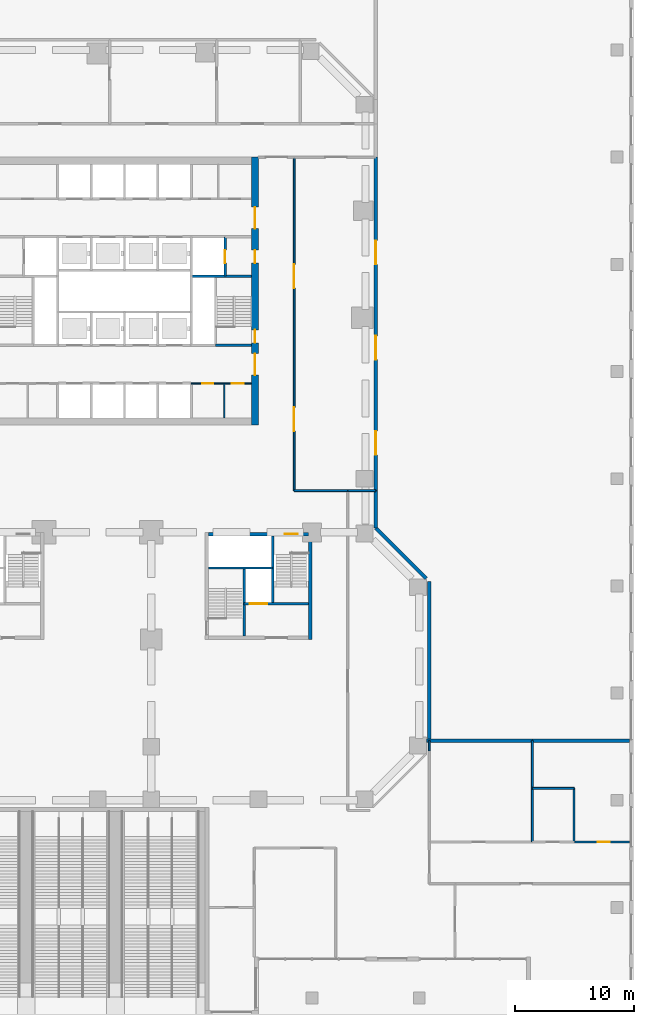
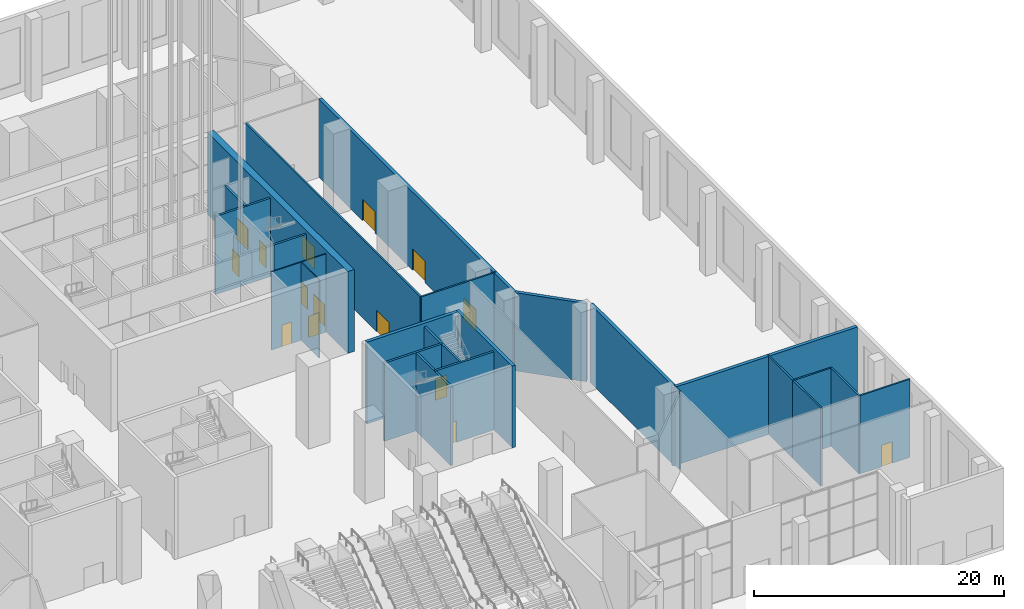
# One storey, part 13 of 32: 27 walls, 15 doors, 15 openings.
"""IFC4 building model written with IfcOpenShell, lengths in metres."""

from ifc_helpers import new_model, si_unit, direction, frame, frame_2d, origin, place, context, subcontext, project, spatial, rectangle, extrude, material, layer, layer_set, type_object, element, fill, save


model = new_model("IFC4")

# Units and contexts
model_context = context("Model", 3, precision=1e-05, world=origin(), true_north=direction((0.0, 1.0)))
body_context = subcontext(model_context, "Body", "Model", "MODEL_VIEW")
ifc_project = project(units=[si_unit("LENGTHUNIT", "METRE"), si_unit("AREAUNIT", "SQUARE_METRE"), si_unit("VOLUMEUNIT", "CUBIC_METRE"), si_unit("PLANEANGLEUNIT", "RADIAN"), si_unit("MASSUNIT", "GRAM", prefix="KILO")], contexts=[model_context])

# Site, building, storey
site_placement = place(None, origin())
site = spatial("IfcSite", under=ifc_project, at=site_placement, CompositionType="ELEMENT")
building_placement = place(site_placement, origin())
building = spatial("IfcBuilding", under=site, at=building_placement, Name="Quoin Convention Tower", CompositionType="ELEMENT")
storey_placement = place(building_placement, origin())
storey = spatial("IfcBuildingStorey", under=building, at=storey_placement, Name="L00", CompositionType="ELEMENT", Elevation=0.0)

# Walls
ifc_material_1 = material(Name="Plasterboard")
ifc_layer_1 = layer(ifc_material_1, 0.012451171875, Name="Finish")
ifc_material_2 = material(Name="Steel stud framing", Category="steel")
ifc_layer_2 = layer(ifc_material_2, 0.27490234375, Name="Structure")
ifc_layer_3 = layer(ifc_material_1, 0.012451171875, Name="Finish")
ifc_layer_set_1 = layer_set([ifc_layer_1, ifc_layer_2, ifc_layer_3], Name="Steel stud framing")
wall_type_1 = type_object("IfcWallType", Name="Acoustic wall 300", PredefinedType="PARTITIONING", material=ifc_layer_set_1)
wall_1_placement = place(storey_placement, frame((81.60009765625, 23.0, 0.0), z_axis=(0.0, 0.0, 1.0), x_axis=(1.0, 0.0, 0.0)))
element("IfcWall", 1, at=wall_1_placement, inside=storey, type_object=wall_type_1, Name="pw-L00-042", PredefinedType="PARTITIONING", context=body_context, shape_type="SweptSolid", body=[
    extrude(rectangle(XDim=8.89990234375, YDim=0.300048828125, at=frame_2d((4.449951171875, 0.0))), origin(), (0.0, 0.0, 1.0), 7.64990234375),
])
wall_2_placement = place(storey_placement, frame((81.85009765625, 23.0, 0.0), z_axis=(0.0, 0.0, 1.0), x_axis=(0.0, 1.0, 0.0)))
element("IfcWall", 2, at=wall_2_placement, inside=storey, type_object=wall_type_1, Name="pw-L00-043", PredefinedType="PARTITIONING", context=body_context, shape_type="SweptSolid", body=[
    extrude(rectangle(XDim=13.35205078125, YDim=0.300048828125, at=frame_2d((6.676025390625, 0.0))), origin(), (0.0, 0.0, 1.0), 7.64990234375),
])
wall_3_placement = place(storey_placement, frame((90.5, 23.0, 0.0), z_axis=(0.0, 0.0, 1.0), x_axis=(1.0, 0.0, 0.0)))
element("IfcWall", 3, at=wall_3_placement, inside=storey, type_object=wall_type_1, Name="pw-L00-044", PredefinedType="PARTITIONING", context=body_context, shape_type="SweptSolid", body=[
    extrude(rectangle(XDim=8.14990234375, YDim=0.300048828125, at=frame_2d((4.074951171875, 0.0))), origin(), (0.0, 0.0, 1.0), 7.64990234375),
])
wall_4_placement = place(storey_placement, frame((77.35009765625, 40.85205078125, 0.0), z_axis=(0.0, 0.0, 1.0), x_axis=(0.707106781187, -0.707106781187, 0.0)))
element("IfcWall", 4, at=wall_4_placement, inside=storey, type_object=wall_type_1, Name="pw-L00-054", PredefinedType="PARTITIONING", context=body_context, shape_type="SweptSolid", body=[
    extrude(rectangle(XDim=5.98486328125, YDim=0.300048828125, at=frame_2d((2.992431640625, 0.0))), origin(), (0.0, 0.0, 1.0), 7.64990234375),
])
wall_5_placement = place(storey_placement, frame((77.35009765625, 40.85205078125, 0.0), z_axis=(0.0, 0.0, 1.0), x_axis=(0.0, 1.0, 0.0)))
element("IfcWall", 5, at=wall_5_placement, inside=storey, type_object=wall_type_1, Name="pw-L00-055", PredefinedType="PARTITIONING", context=body_context, shape_type="SweptSolid", body=[
    extrude(rectangle(XDim=3.14794921875, YDim=0.300048828125, at=frame_2d((1.573974609375, 0.0))), origin(), (0.0, 0.0, 1.0), 7.64990234375),
])

# Wall, openings, doors
wall_6_placement = place(storey_placement, frame((77.35009765625, 44.0, 0.0), z_axis=(0.0, 0.0, 1.0), x_axis=(0.0, 1.0, 0.0)))
wall_6 = element("IfcWall", 6, at=wall_6_placement, inside=storey, type_object=wall_type_1, Name="pw-L00-059", PredefinedType="PARTITIONING", context=body_context, shape_type="SweptSolid", body=[
    extrude(rectangle(XDim=28.0, YDim=0.300048828125, at=frame_2d((14.0, 0.0))), origin(), (0.0, 0.0, 1.0), 7.64990234375),
])
opening_1_placement = place(wall_6_placement, frame((3.0, 0.0, 0.0)))
opening_1 = element("IfcOpeningElement", 7, at=opening_1_placement, cuts=wall_6, Name="Opening DPD0-24", PredefinedType="OPENING", context=body_context, shape_type="SweptSolid", body=[
    extrude(rectangle(XDim=2.0, YDim=2.10009765625, at=frame_2d((1.0, 1.050048828125))), frame((0.0, 0.159912109375, 0.0), z_axis=(0.0, -1.0, 0.0), x_axis=(1.0, 0.0, 0.0)), (0.0, 0.0, 1.0), 0.320068359375),
])
opening_2_placement = place(wall_6_placement, frame((11.0, 0.0, 0.0)))
opening_2 = element("IfcOpeningElement", 8, at=opening_2_placement, cuts=wall_6, Name="Opening DPD0-25", PredefinedType="OPENING", context=body_context, shape_type="SweptSolid", body=[
    extrude(rectangle(XDim=2.0, YDim=2.10009765625, at=frame_2d((1.0, 1.050048828125))), frame((0.0, 0.159912109375, 0.0), z_axis=(0.0, -1.0, 0.0), x_axis=(1.0, 0.0, 0.0)), (0.0, 0.0, 1.0), 0.320068359375),
])
opening_3_placement = place(wall_6_placement, frame((19.0, 0.0, 0.0)))
opening_3 = element("IfcOpeningElement", 9, at=opening_3_placement, cuts=wall_6, Name="Opening DPD0-26", PredefinedType="OPENING", context=body_context, shape_type="SweptSolid", body=[
    extrude(rectangle(XDim=2.0, YDim=2.10009765625, at=frame_2d((1.0, 1.050048828125))), frame((0.0, 0.159912109375, 0.0), z_axis=(0.0, -1.0, 0.0), x_axis=(1.0, 0.0, 0.0)), (0.0, 0.0, 1.0), 0.320068359375),
])
ifc_material_3 = material(Name="Steel door leaf", Category="steel")
door_type_1 = type_object("IfcDoorType", Name="Double leaf door 2000", OperationType="DOUBLE_DOOR_SINGLE_SWING", PredefinedType="DOOR", material=ifc_material_3)
door_1_placement = place(opening_1_placement, origin())
door_1 = element("IfcDoor", 10, at=door_1_placement, inside=storey, type_object=door_type_1, Name="dr-L00-006", OperationType="DOUBLE_DOOR_SINGLE_SWING", OverallHeight=2.10009765625, OverallWidth=2.0, PredefinedType="DOOR", context=body_context, shape_type="SweptSolid", body=[
    extrude(rectangle(XDim=2.0, YDim=2.10009765625, at=frame_2d((1.0, 1.050048828125))), frame((0.0, 0.02490234375, 0.0), z_axis=(0.0, -1.0, 0.0), x_axis=(1.0, 0.0, 0.0)), (0.0, 0.0, 1.0), 0.050048828125),
])
fill(opening_1, door_1)
door_2_placement = place(opening_2_placement, origin())
door_2 = element("IfcDoor", 11, at=door_2_placement, inside=storey, type_object=door_type_1, Name="dr-L00-007", OperationType="DOUBLE_DOOR_SINGLE_SWING", OverallHeight=2.10009765625, OverallWidth=2.0, PredefinedType="DOOR", context=body_context, shape_type="SweptSolid", body=[
    extrude(rectangle(XDim=2.0, YDim=2.10009765625, at=frame_2d((1.0, 1.050048828125))), frame((0.0, 0.02490234375, 0.0), z_axis=(0.0, -1.0, 0.0), x_axis=(1.0, 0.0, 0.0)), (0.0, 0.0, 1.0), 0.050048828125),
])
fill(opening_2, door_2)
door_3_placement = place(opening_3_placement, origin())
door_3 = element("IfcDoor", 12, at=door_3_placement, inside=storey, type_object=door_type_1, Name="dr-L00-008", OperationType="DOUBLE_DOOR_SINGLE_SWING", OverallHeight=2.10009765625, OverallWidth=2.0, PredefinedType="DOOR", context=body_context, shape_type="SweptSolid", body=[
    extrude(rectangle(XDim=2.0, YDim=2.10009765625, at=frame_2d((1.0, 1.050048828125))), frame((0.0, 0.02490234375, 0.0), z_axis=(0.0, -1.0, 0.0), x_axis=(1.0, 0.0, 0.0)), (0.0, 0.0, 1.0), 0.050048828125),
])
fill(opening_3, door_3)

ifc_layer_4 = layer(ifc_material_1, 0.012451171875, Name="Finish")
ifc_layer_5 = layer(ifc_material_2, 0.074951171875, Name="Structure")
ifc_layer_6 = layer(ifc_material_1, 0.012451171875, Name="Finish")
ifc_layer_set_2 = layer_set([ifc_layer_4, ifc_layer_5, ifc_layer_6], Name="Steel stud framing")
wall_type_2 = type_object("IfcWallType", Name="Core partition wall", PredefinedType="PARTITIONING", material=ifc_layer_set_2)
wall_7_placement = place(storey_placement, frame((61.85009765625, 53.0, 0.0), z_axis=(0.0, 0.0, 1.0), x_axis=(1.0, 0.0, 0.0)))
wall_7 = element("IfcWall", 13, at=wall_7_placement, inside=storey, type_object=wall_type_2, Name="cr-C1-L00-h3500_16850", PredefinedType="PARTITIONING", context=body_context, shape_type="SweptSolid", body=[
    extrude(rectangle(XDim=5.0498046875, YDim=0.10009765625, at=frame_2d((2.52490234375, 0.0))), origin(), (0.0, 0.0, 1.0), 7.64990234375),
])
opening_4_placement = place(wall_7_placement, frame((3.413818359375, 0.0, 0.0)))
opening_4 = element("IfcOpeningElement", 14, at=opening_4_placement, cuts=wall_7, Name="Opening DCV0-29", PredefinedType="OPENING", context=body_context, shape_type="SweptSolid", body=[
    extrude(rectangle(XDim=1.0, YDim=2.10009765625, at=frame_2d((0.5, 1.050048828125))), frame((0.0, 0.06005859375, 0.0), z_axis=(0.0, -1.0, 0.0), x_axis=(1.0, 0.0, 0.0)), (0.0, 0.0, 1.0), 0.1201171875),
])
opening_5_placement = place(wall_7_placement, frame((0.938720703125, 0.0, 0.0)))
opening_5 = element("IfcOpeningElement", 15, at=opening_5_placement, cuts=wall_7, Name="Opening DCV0-26", PredefinedType="OPENING", context=body_context, shape_type="SweptSolid", body=[
    extrude(rectangle(XDim=0.89990234375, YDim=2.10009765625, at=frame_2d((0.449951171875, 1.050048828125))), frame((0.0, 0.06005859375, 0.0), z_axis=(0.0, -1.0, 0.0), x_axis=(1.0, 0.0, 0.0)), (0.0, 0.0, 1.0), 0.1201171875),
])
door_type_2 = type_object("IfcDoorType", Name="Core room door 1000 x 2100", OperationType="SINGLE_SWING_LEFT", PredefinedType="DOOR", material=ifc_material_3)
door_4_placement = place(opening_4_placement, frame((1.0, 0.0, 0.0), z_axis=(0.0, 0.0, 1.0), x_axis=(-1.0, 0.0, 0.0)))
door_4 = element("IfcDoor", 16, at=door_4_placement, inside=storey, type_object=door_type_2, Name="cd-C1-L00-CSE0-lobA-CD0010", OperationType="SINGLE_SWING_LEFT", OverallHeight=2.10009765625, OverallWidth=1.0, PredefinedType="DOOR", context=body_context, shape_type="SweptSolid", body=[
    extrude(rectangle(XDim=1.0, YDim=2.10009765625, at=frame_2d((0.5, 1.050048828125))), frame((0.0, 0.02490234375, 0.0), z_axis=(0.0, -1.0, 0.0), x_axis=(1.0, 0.0, 0.0)), (0.0, 0.0, 1.0), 0.050048828125),
])
fill(opening_4, door_4)
door_type_3 = type_object("IfcDoorType", Name="Core room door 900 x 2100", OperationType="SINGLE_SWING_LEFT", PredefinedType="DOOR", material=ifc_material_3)
door_5_placement = place(opening_5_placement, frame((0.89990234375, 0.0, 0.0), z_axis=(0.0, 0.0, 1.0), x_axis=(-1.0, 0.0, 0.0)))
door_5 = element("IfcDoor", 17, at=door_5_placement, inside=storey, type_object=door_type_3, Name="cd-C1-L00-CSE1-lobA-CD0011", OperationType="SINGLE_SWING_LEFT", OverallHeight=2.10009765625, OverallWidth=0.89990234375, PredefinedType="DOOR", context=body_context, shape_type="SweptSolid", body=[
    extrude(rectangle(XDim=0.89990234375, YDim=2.10009765625, at=frame_2d((0.449951171875, 1.050048828125))), frame((0.0, 0.02490234375, 0.0), z_axis=(0.0, -1.0, 0.0), x_axis=(1.0, 0.0, 0.0)), (0.0, 0.0, 1.0), 0.050048828125),
])
fill(opening_5, door_5)

# Walls
wall_8_placement = place(storey_placement, frame((64.62744140625, 50.10009765625, 0.0), z_axis=(0.0, 0.0, 1.0), x_axis=(0.0, 1.0, 0.0)))
element("IfcWall", 18, at=wall_8_placement, inside=storey, type_object=wall_type_2, Name="cr-C1-L00-v19628_600", PredefinedType="PARTITIONING", context=body_context, shape_type="SweptSolid", body=[
    extrude(rectangle(XDim=2.89990234375, YDim=0.10009765625, at=frame_2d((1.449951171875, 0.0))), origin(), (0.0, 0.0, 1.0), 7.64990234375),
])
ifc_material_4 = material(Name="Concrete C50", Category="concrete")
ifc_layer_7 = layer(ifc_material_4, 0.199951171875)
ifc_layer_set_3 = layer_set([ifc_layer_7], Name="Concrete C50")
wall_type_3 = type_object("IfcWallType", Name="Core shaft wall", PredefinedType="SOLIDWALL", material=ifc_layer_set_3)
wall_9_placement = place(storey_placement, frame((63.89990234375, 56.199951171875, 0.0), z_axis=(0.0, 0.0, 1.0), x_axis=(1.0, 0.0, 0.0)))
element("IfcWall", 19, at=wall_9_placement, inside=storey, type_object=wall_type_3, Name="cr-C1-L00-h6700_18900", PredefinedType="SOLIDWALL", context=body_context, shape_type="SweptSolid", body=[
    extrude(rectangle(XDim=3.0, YDim=0.199951171875, at=frame_2d((1.5, 0.0))), origin(), (0.0, 0.0, 1.0), 7.64990234375),
])
wall_10_placement = place(storey_placement, frame((61.85009765625, 62.0, 0.0), z_axis=(0.0, 0.0, 1.0), x_axis=(1.0, 0.0, 0.0)))
element("IfcWall", 20, at=wall_10_placement, inside=storey, type_object=wall_type_3, Name="cr-C1-L00-h12500_16850", PredefinedType="SOLIDWALL", context=body_context, shape_type="SweptSolid", body=[
    extrude(rectangle(XDim=5.0498046875, YDim=0.199951171875, at=frame_2d((2.52490234375, 0.0))), origin(), (0.0, 0.0, 1.0), 7.64990234375),
])

# Wall, opening, door
wall_11_placement = place(storey_placement, frame((64.699951171875, 62.0, 0.0), z_axis=(0.0, 0.0, 1.0), x_axis=(0.0, 1.0, 0.0)))
wall_11 = element("IfcWall", 21, at=wall_11_placement, inside=storey, type_object=wall_type_3, Name="cr-C1-L00-v19700_12500", PredefinedType="SOLIDWALL", context=body_context, shape_type="SweptSolid", body=[
    extrude(rectangle(XDim=3.300048828125, YDim=0.199951171875, at=frame_2d((1.64990234375, 0.0))), origin(), (0.0, 0.0, 1.0), 7.64990234375),
])
opening_6_placement = place(wall_11_placement, frame((1.10009765625, 0.0, 0.0)))
opening_6 = element("IfcOpeningElement", 22, at=opening_6_placement, cuts=wall_11, Name="Opening LDFL2", PredefinedType="OPENING", context=body_context, shape_type="SweptSolid", body=[
    extrude(rectangle(XDim=1.10009765625, YDim=2.10009765625, at=frame_2d((0.550048828125, 1.050048828125))), frame((0.0, 0.10986328125, 0.0), z_axis=(0.0, -1.0, 0.0), x_axis=(1.0, 0.0, 0.0)), (0.0, 0.0, 1.0), 0.219970703125),
])
door_type_4 = type_object("IfcDoorType", Name="Lift landing door 1100 x 2100", OperationType="DOUBLE_DOOR_SLIDING", PredefinedType="DOOR", material=ifc_material_3)
door_6_placement = place(opening_6_placement, origin())
door_6 = element("IfcDoor", 23, at=door_6_placement, inside=storey, type_object=door_type_4, Name="cd-C1-L00-FLE-FFE-LDFL2", OperationType="DOUBLE_DOOR_SLIDING", OverallHeight=2.10009765625, OverallWidth=1.10009765625, PredefinedType="DOOR", context=body_context, shape_type="SweptSolid", body=[
    extrude(rectangle(XDim=1.10009765625, YDim=2.10009765625, at=frame_2d((0.550048828125, 1.050048828125))), frame((0.0, 0.02490234375, 0.0), z_axis=(0.0, -1.0, 0.0), x_axis=(1.0, 0.0, 0.0)), (0.0, 0.0, 1.0), 0.050048828125),
])
fill(opening_6, door_6)

wall_12_placement = place(storey_placement, frame((66.300048828125, 34.5, 0.0), z_axis=(0.0, 0.0, 1.0), x_axis=(1.0, 0.0, 0.0)))
wall_12 = element("IfcWall", 24, at=wall_12_placement, inside=storey, type_object=wall_type_3, Name="cr-P5-L00-h3000_3300", PredefinedType="SOLIDWALL", context=body_context, shape_type="SweptSolid", body=[
    extrude(rectangle(XDim=5.39990234375, YDim=0.199951171875, at=frame_2d((2.699951171875, 0.0))), origin(), (0.0, 0.0, 1.0), 7.64990234375),
])
opening_7_placement = place(wall_12_placement, frame((0.449951171875, 0.0, 0.0)))
opening_7 = element("IfcOpeningElement", 25, at=opening_7_placement, cuts=wall_12, Name="Opening LDGL2", PredefinedType="OPENING", context=body_context, shape_type="SweptSolid", body=[
    extrude(rectangle(XDim=1.5, YDim=2.10009765625, at=frame_2d((0.75, 1.050048828125))), frame((0.0, 0.10986328125, 0.0), z_axis=(0.0, -1.0, 0.0), x_axis=(1.0, 0.0, 0.0)), (0.0, 0.0, 1.0), 0.219970703125),
])
door_type_5 = type_object("IfcDoorType", Name="Lift landing door 1500 x 2100", OperationType="DOUBLE_DOOR_SLIDING", PredefinedType="DOOR", material=ifc_material_3)
door_7_placement = place(opening_7_placement, origin())
door_7 = element("IfcDoor", 26, at=door_7_placement, inside=storey, type_object=door_type_5, Name="cd-P5-L00-CEN-R2-LDGL2", OperationType="DOUBLE_DOOR_SLIDING", OverallHeight=2.10009765625, OverallWidth=1.5, PredefinedType="DOOR", context=body_context, shape_type="SweptSolid", body=[
    extrude(rectangle(XDim=1.5, YDim=2.10009765625, at=frame_2d((0.75, 1.050048828125))), frame((0.0, 0.02490234375, 0.0), z_axis=(0.0, -1.0, 0.0), x_axis=(1.0, 0.0, 0.0)), (0.0, 0.0, 1.0), 0.050048828125),
])
fill(opening_7, door_7)

# Walls
wall_13_placement = place(storey_placement, frame((63.300048828125, 37.5, 0.0), z_axis=(0.0, 0.0, 1.0), x_axis=(1.0, 0.0, 0.0)))
element("IfcWall", 27, at=wall_13_placement, inside=storey, type_object=wall_type_3, Name="cr-P5-L00-h6000_300", PredefinedType="SOLIDWALL", context=body_context, shape_type="SweptSolid", body=[
    extrude(rectangle(XDim=5.39990234375, YDim=0.199951171875, at=frame_2d((2.699951171875, 0.0))), origin(), (0.0, 0.0, 1.0), 7.64990234375),
])
for number, where, z_axis, x_axis, name in (
    (28, (66.300048828125, 31.800048828125, 0.0), (0.0, 0.0, 1.0), (0.0, 1.0, 0.0), "cr-P5-L00-v3300_300"),
    (29, (68.699951171875, 34.5, 0.0), (0.0, 0.0, 1.0), (0.0, 1.0, 0.0), "cr-P5-L00-v5700_3000"),
):
    element("IfcWall", number, at=place(storey_placement, frame(where, z_axis=z_axis, x_axis=x_axis)), inside=storey, type_object=wall_type_3, Name=name, PredefinedType="SOLIDWALL", context=body_context, shape_type="SweptSolid", body=[
        extrude(rectangle(XDim=5.699951171875, YDim=0.199951171875, at=frame_2d((2.85009765625, 0.0))), origin(), (0.0, 0.0, 1.0), 7.64990234375),
    ])

# Wall, opening, door
ifc_layer_8 = layer(ifc_material_1, 0.012451171875, Name="Finish")
ifc_layer_9 = layer(ifc_material_2, 0.125, Name="Structure")
ifc_layer_10 = layer(ifc_material_1, 0.012451171875, Name="Finish")
ifc_layer_set_4 = layer_set([ifc_layer_8, ifc_layer_9, ifc_layer_10], Name="Steel stud framing")
wall_type_4 = type_object("IfcWallType", Name="Partition wall 150", PredefinedType="PARTITIONING", material=ifc_layer_set_4)
wall_14_placement = place(storey_placement, frame((94.0, 14.5, 0.0), z_axis=(0.0, 0.0, 1.0), x_axis=(1.0, 0.0, 0.0)))
wall_14 = element("IfcWall", 30, at=wall_14_placement, inside=storey, type_object=wall_type_4, Name="pw-L00-030", PredefinedType="PARTITIONING", context=body_context, shape_type="SweptSolid", body=[
    extrude(rectangle(XDim=4.64990234375, YDim=0.14990234375, at=frame_2d((2.324951171875, 0.0))), origin(), (0.0, 0.0, 1.0), 7.64990234375),
])
opening_8_placement = place(wall_14_placement, frame((2.0, 0.0, 0.0)))
opening_8 = element("IfcOpeningElement", 31, at=opening_8_placement, cuts=wall_14, Name="Opening DPD0-17", PredefinedType="OPENING", context=body_context, shape_type="SweptSolid", body=[
    extrude(rectangle(XDim=1.0, YDim=2.10009765625, at=frame_2d((0.5, 1.050048828125))), frame((0.0, 0.0849609375, 0.0), z_axis=(0.0, -1.0, 0.0), x_axis=(1.0, 0.0, 0.0)), (0.0, 0.0, 1.0), 0.169921875),
])
door_type_6 = type_object("IfcDoorType", Name="Washroom door 1000", OperationType="SINGLE_SWING_RIGHT", PredefinedType="DOOR", material=ifc_material_3)
door_8_placement = place(opening_8_placement, origin())
door_8 = element("IfcDoor", 32, at=door_8_placement, inside=storey, type_object=door_type_6, Name="dr-L00-034", OperationType="SINGLE_SWING_RIGHT", OverallHeight=2.10009765625, OverallWidth=1.0, PredefinedType="DOOR", context=body_context, shape_type="SweptSolid", body=[
    extrude(rectangle(XDim=1.0, YDim=2.10009765625, at=frame_2d((0.5, 1.050048828125))), frame((0.0, 0.02490234375, 0.0), z_axis=(0.0, -1.0, 0.0), x_axis=(1.0, 0.0, 0.0)), (0.0, 0.0, 1.0), 0.050048828125),
])
fill(opening_8, door_8)

# Walls
wall_15_placement = place(storey_placement, frame((81.85009765625, 22.14794921875, 0.0), z_axis=(0.0, 0.0, 1.0), x_axis=(0.0, 1.0, 0.0)))
element("IfcWall", 33, at=wall_15_placement, inside=storey, type_object=wall_type_4, Name="pw-L00-041", PredefinedType="PARTITIONING", context=body_context, shape_type="SweptSolid", body=[
    extrude(rectangle(XDim=0.85205078125, YDim=0.14990234375, at=frame_2d((0.426025390625, 0.0))), origin(), (0.0, 0.0, 1.0), 7.64990234375),
])
wall_16_placement = place(storey_placement, frame((70.5, 44.0, 0.0), z_axis=(0.0, 0.0, 1.0), x_axis=(1.0, 0.0, 0.0)))
element("IfcWall", 34, at=wall_16_placement, inside=storey, type_object=wall_type_4, Name="pw-L00-056", PredefinedType="PARTITIONING", context=body_context, shape_type="SweptSolid", body=[
    extrude(rectangle(XDim=4.5, YDim=0.14990234375, at=frame_2d((2.25, 0.0))), origin(), (0.0, 0.0, 1.0), 7.64990234375),
])

# Wall, openings, doors
wall_17_placement = place(storey_placement, frame((70.5, 44.0, 0.0), z_axis=(0.0, 0.0, 1.0), x_axis=(0.0, 1.0, 0.0)))
wall_17 = element("IfcWall", 35, at=wall_17_placement, inside=storey, type_object=wall_type_4, Name="pw-L00-057", PredefinedType="PARTITIONING", context=body_context, shape_type="SweptSolid", body=[
    extrude(rectangle(XDim=28.0, YDim=0.14990234375, at=frame_2d((14.0, 0.0))), origin(), (0.0, 0.0, 1.0), 7.64990234375),
])
opening_9_placement = place(wall_17_placement, frame((5.0, 0.0, 0.0)))
opening_9 = element("IfcOpeningElement", 36, at=opening_9_placement, cuts=wall_17, Name="Opening DPD0-22", PredefinedType="OPENING", context=body_context, shape_type="SweptSolid", body=[
    extrude(rectangle(XDim=2.0, YDim=2.10009765625, at=frame_2d((1.0, 1.050048828125))), frame((0.0, 0.0849609375, 0.0), z_axis=(0.0, -1.0, 0.0), x_axis=(1.0, 0.0, 0.0)), (0.0, 0.0, 1.0), 0.169921875),
])
opening_10_placement = place(wall_17_placement, frame((17.0, 0.0, 0.0)))
opening_10 = element("IfcOpeningElement", 37, at=opening_10_placement, cuts=wall_17, Name="Opening DPD0-23", PredefinedType="OPENING", context=body_context, shape_type="SweptSolid", body=[
    extrude(rectangle(XDim=2.0, YDim=2.10009765625, at=frame_2d((1.0, 1.050048828125))), frame((0.0, 0.0849609375, 0.0), z_axis=(0.0, -1.0, 0.0), x_axis=(1.0, 0.0, 0.0)), (0.0, 0.0, 1.0), 0.169921875),
])
door_9_placement = place(opening_9_placement, frame((2.0, 0.0, 0.0), z_axis=(0.0, 0.0, 1.0), x_axis=(-1.0, 0.0, 0.0)))
door_9 = element("IfcDoor", 38, at=door_9_placement, inside=storey, type_object=door_type_1, Name="dr-L00-009", OperationType="DOUBLE_DOOR_SINGLE_SWING", OverallHeight=2.10009765625, OverallWidth=2.0, PredefinedType="DOOR", context=body_context, shape_type="SweptSolid", body=[
    extrude(rectangle(XDim=2.0, YDim=2.10009765625, at=frame_2d((1.0, 1.050048828125))), frame((0.0, 0.02490234375, 0.0), z_axis=(0.0, -1.0, 0.0), x_axis=(1.0, 0.0, 0.0)), (0.0, 0.0, 1.0), 0.050048828125),
])
fill(opening_9, door_9)
door_10_placement = place(opening_10_placement, frame((2.0, 0.0, 0.0), z_axis=(0.0, 0.0, 1.0), x_axis=(-1.0, 0.0, 0.0)))
door_10 = element("IfcDoor", 39, at=door_10_placement, inside=storey, type_object=door_type_1, Name="dr-L00-010", OperationType="DOUBLE_DOOR_SINGLE_SWING", OverallHeight=2.10009765625, OverallWidth=2.0, PredefinedType="DOOR", context=body_context, shape_type="SweptSolid", body=[
    extrude(rectangle(XDim=2.0, YDim=2.10009765625, at=frame_2d((1.0, 1.050048828125))), frame((0.0, 0.02490234375, 0.0), z_axis=(0.0, -1.0, 0.0), x_axis=(1.0, 0.0, 0.0)), (0.0, 0.0, 1.0), 0.050048828125),
])
fill(opening_10, door_10)

# Wall
wall_18_placement = place(storey_placement, frame((75.0, 44.0, 0.0), z_axis=(0.0, 0.0, 1.0), x_axis=(1.0, 0.0, 0.0)))
element("IfcWall", 40, at=wall_18_placement, inside=storey, type_object=wall_type_4, Name="pw-L00-058", PredefinedType="PARTITIONING", context=body_context, shape_type="SweptSolid", body=[
    extrude(rectangle(XDim=2.35009765625, YDim=0.14990234375, at=frame_2d((1.175048828125, 0.0))), origin(), (0.0, 0.0, 1.0), 7.64990234375),
])

# Wall, opening, door
ifc_material_5 = material(Name="Concrete C100 (100 MPa)", Category="concrete")
ifc_layer_11 = layer(ifc_material_5, 0.300048828125)
ifc_layer_set_5 = layer_set([ifc_layer_11], Name="Concrete C100 (100 MPa)")
wall_type_5 = type_object("IfcWallType", Name="RC CORE WALL 300 C100", PredefinedType="SHEAR", material=ifc_layer_set_5)
wall_19_placement = place(storey_placement, frame((63.300048828125, 40.35009765625, 0.0), z_axis=(0.0, 0.0, 1.0), x_axis=(1.0, 0.0, 0.0)))
wall_19 = element("IfcWall", 41, at=wall_19_placement, inside=storey, type_object=wall_type_5, Name="cwl-P5-L00-N", PredefinedType="SHEAR", context=body_context, shape_type="SweptSolid", body=[
    extrude(rectangle(XDim=8.39990234375, YDim=0.300048828125, at=frame_2d((4.199951171875, 0.0))), origin(), (0.0, 0.0, 1.0), 8.0),
])
opening_11_placement = place(wall_19_placement, frame((6.39990234375, 0.0, 0.0)))
opening_11 = element("IfcOpeningElement", 42, at=opening_11_placement, cuts=wall_19, Name="Opening SD10", PredefinedType="OPENING", context=body_context, shape_type="SweptSolid", body=[
    extrude(rectangle(XDim=1.10009765625, YDim=2.10009765625, at=frame_2d((0.550048828125, 1.050048828125))), frame((0.0, 0.159912109375, 0.0), z_axis=(0.0, -1.0, 0.0), x_axis=(1.0, 0.0, 0.0)), (0.0, 0.0, 1.0), 0.320068359375),
])
door_type_7 = type_object("IfcDoorType", Name="Stair door 1100 x 2100", OperationType="SINGLE_SWING_RIGHT", PredefinedType="DOOR", material=ifc_material_3)
door_11_placement = place(opening_11_placement, frame((1.10009765625, 0.0, 0.0), z_axis=(0.0, 0.0, 1.0), x_axis=(-1.0, 0.0, 0.0)))
door_11 = element("IfcDoor", 43, at=door_11_placement, inside=storey, type_object=door_type_7, Name="cd-P5-L00-SB-N", OperationType="SINGLE_SWING_LEFT", OverallHeight=2.10009765625, OverallWidth=1.10009765625, PredefinedType="DOOR", context=body_context, shape_type="SweptSolid", body=[
    extrude(rectangle(XDim=1.10009765625, YDim=2.10009765625, at=frame_2d((0.550048828125, 1.050048828125))), frame((0.0, 0.02490234375, 0.0), z_axis=(0.0, -1.0, 0.0), x_axis=(1.0, 0.0, 0.0)), (0.0, 0.0, 1.0), 0.050048828125),
])
fill(opening_11, door_11)

# Wall
wall_20_placement = place(storey_placement, frame((71.85009765625, 31.5, 0.0), z_axis=(0.0, 0.0, 1.0), x_axis=(0.0, 1.0, 0.0)))
element("IfcWall", 44, at=wall_20_placement, inside=storey, type_object=wall_type_5, Name="cwl-P5-L00-E", PredefinedType="SHEAR", context=body_context, shape_type="SweptSolid", body=[
    extrude(rectangle(XDim=9.0, YDim=0.300048828125, at=frame_2d((4.5, 0.0))), origin(), (0.0, 0.0, 1.0), 8.0),
])

# Wall, openings, doors
ifc_layer_12 = layer(ifc_material_5, 0.60009765625)
ifc_layer_set_6 = layer_set([ifc_layer_12], Name="Concrete C100 (100 MPa)")
wall_type_6 = type_object("IfcWallType", Name="RC CORE WALL 600 C100", PredefinedType="SHEAR", material=ifc_layer_set_6)
wall_21_placement = place(storey_placement, frame((67.199951171875, 49.5, 0.0), z_axis=(0.0, 0.0, 1.0), x_axis=(0.0, 1.0, 0.0)))
wall_21 = element("IfcWall", 45, at=wall_21_placement, inside=storey, type_object=wall_type_6, Name="cwl-C1-L00-E", PredefinedType="SHEAR", context=body_context, shape_type="SweptSolid", body=[
    extrude(rectangle(XDim=22.5, YDim=0.60009765625, at=frame_2d((11.25, 0.0))), origin(), (0.0, 0.0, 1.0), 8.0),
])
opening_12_placement = place(wall_21_placement, frame((4.199951171875, 0.0, 0.0)))
opening_12 = element("IfcOpeningElement", 46, at=opening_12_placement, cuts=wall_21, Name="Opening DCV0-57", PredefinedType="OPENING", context=body_context, shape_type="SweptSolid", body=[
    extrude(rectangle(XDim=1.800048828125, YDim=2.10009765625, at=frame_2d((0.89990234375, 1.050048828125))), frame((0.0, 0.31005859375, 0.0), z_axis=(0.0, -1.0, 0.0), x_axis=(1.0, 0.0, 0.0)), (0.0, 0.0, 1.0), 0.6201171875),
])
opening_13_placement = place(wall_21_placement, frame((6.89990234375, 0.0, 0.0)))
opening_13 = element("IfcOpeningElement", 47, at=opening_13_placement, cuts=wall_21, Name="Opening SD2", PredefinedType="OPENING", context=body_context, shape_type="SweptSolid", body=[
    extrude(rectangle(XDim=1.10009765625, YDim=2.10009765625, at=frame_2d((0.550048828125, 1.050048828125))), frame((0.0, 0.31005859375, 0.0), z_axis=(0.0, -1.0, 0.0), x_axis=(1.0, 0.0, 0.0)), (0.0, 0.0, 1.0), 0.6201171875),
])
opening_14_placement = place(wall_21_placement, frame((13.60009765625, 0.0, 0.0)))
opening_14 = element("IfcOpeningElement", 48, at=opening_14_placement, cuts=wall_21, Name="Opening DCV0-56", PredefinedType="OPENING", context=body_context, shape_type="SweptSolid", body=[
    extrude(rectangle(XDim=1.10009765625, YDim=2.10009765625, at=frame_2d((0.550048828125, 1.050048828125))), frame((0.0, 0.31005859375, 0.0), z_axis=(0.0, -1.0, 0.0), x_axis=(1.0, 0.0, 0.0)), (0.0, 0.0, 1.0), 0.6201171875),
])
opening_15_placement = place(wall_21_placement, frame((16.5, 0.0, 0.0)))
opening_15 = element("IfcOpeningElement", 49, at=opening_15_placement, cuts=wall_21, Name="Opening DCV0-57", PredefinedType="OPENING", context=body_context, shape_type="SweptSolid", body=[
    extrude(rectangle(XDim=1.800048828125, YDim=2.10009765625, at=frame_2d((0.89990234375, 1.050048828125))), frame((0.0, 0.31005859375, 0.0), z_axis=(0.0, -1.0, 0.0), x_axis=(1.0, 0.0, 0.0)), (0.0, 0.0, 1.0), 0.6201171875),
])
door_type_8 = type_object("IfcDoorType", Name="Fire-fighting lobby door 1100 x 2100", OperationType="SINGLE_SWING_LEFT", PredefinedType="DOOR", material=ifc_material_3)
door_12_placement = place(opening_14_placement, origin())
door_12 = element("IfcDoor", 50, at=door_12_placement, inside=storey, type_object=door_type_8, Name="cd-C1-L00-FFE-E", OperationType="SINGLE_SWING_RIGHT", OverallHeight=2.10009765625, OverallWidth=1.10009765625, PredefinedType="DOOR", context=body_context, shape_type="SweptSolid", body=[
    extrude(rectangle(XDim=1.10009765625, YDim=2.10009765625, at=frame_2d((0.550048828125, 1.050048828125))), frame((0.0, 0.02490234375, 0.0), z_axis=(0.0, -1.0, 0.0), x_axis=(1.0, 0.0, 0.0)), (0.0, 0.0, 1.0), 0.050048828125),
])
fill(opening_14, door_12)
door_type_9 = type_object("IfcDoorType", Name="Lift lobby door 1800 x 2100", OperationType="SINGLE_SWING_LEFT", PredefinedType="DOOR", material=ifc_material_3)
door_13_placement = place(opening_12_placement, origin())
door_13 = element("IfcDoor", 51, at=door_13_placement, inside=storey, type_object=door_type_9, Name="cd-C1-L00-lobA-E", OperationType="SINGLE_SWING_RIGHT", OverallHeight=2.10009765625, OverallWidth=1.800048828125, PredefinedType="DOOR", context=body_context, shape_type="SweptSolid", body=[
    extrude(rectangle(XDim=1.800048828125, YDim=2.10009765625, at=frame_2d((0.89990234375, 1.050048828125))), frame((0.0, 0.02490234375, 0.0), z_axis=(0.0, -1.0, 0.0), x_axis=(1.0, 0.0, 0.0)), (0.0, 0.0, 1.0), 0.050048828125),
])
fill(opening_12, door_13)
door_14_placement = place(opening_15_placement, origin())
door_14 = element("IfcDoor", 52, at=door_14_placement, inside=storey, type_object=door_type_9, Name="cd-C1-L00-lobB-E", OperationType="SINGLE_SWING_RIGHT", OverallHeight=2.10009765625, OverallWidth=1.800048828125, PredefinedType="DOOR", context=body_context, shape_type="SweptSolid", body=[
    extrude(rectangle(XDim=1.800048828125, YDim=2.10009765625, at=frame_2d((0.89990234375, 1.050048828125))), frame((0.0, 0.02490234375, 0.0), z_axis=(0.0, -1.0, 0.0), x_axis=(1.0, 0.0, 0.0)), (0.0, 0.0, 1.0), 0.050048828125),
])
fill(opening_15, door_14)
door_15_placement = place(opening_13_placement, origin())
door_15 = element("IfcDoor", 53, at=door_15_placement, inside=storey, type_object=door_type_7, Name="cd-C1-L00-STE-E", OperationType="SINGLE_SWING_LEFT", OverallHeight=2.10009765625, OverallWidth=1.10009765625, PredefinedType="DOOR", context=body_context, shape_type="SweptSolid", body=[
    extrude(rectangle(XDim=1.10009765625, YDim=2.10009765625, at=frame_2d((0.550048828125, 1.050048828125))), frame((0.0, 0.02490234375, 0.0), z_axis=(0.0, -1.0, 0.0), x_axis=(1.0, 0.0, 0.0)), (0.0, 0.0, 1.0), 0.050048828125),
])
fill(opening_13, door_15)

# Walls
ifc_layer_13 = layer(ifc_material_1, 0.012451171875, Name="Finish")
ifc_layer_14 = layer(ifc_material_2, 0.125, Name="Structure")
ifc_layer_15 = layer(ifc_material_1, 0.012451171875, Name="Finish")
ifc_layer_set_7 = layer_set([ifc_layer_13, ifc_layer_14, ifc_layer_15], Name="Steel stud framing")
wall_type_7 = type_object("IfcWallType", Name="Wet area wall 150", PredefinedType="PARTITIONING", material=ifc_layer_set_7)
for number, where, z_axis, x_axis, name in (
    (54, (90.5, 14.5, 0.0), (0.0, 0.0, 1.0), (0.0, 1.0, 0.0), "pw-L00-029"),
    (55, (94.0, 14.5, 0.0), (0.0, 0.0, 1.0), (0.0, 1.0, 0.0), "pw-L00-031"),
):
    element("IfcWall", number, at=place(storey_placement, frame(where, z_axis=z_axis, x_axis=x_axis)), inside=storey, type_object=wall_type_7, Name=name, PredefinedType="PARTITIONING", context=body_context, shape_type="SweptSolid", body=[
        extrude(rectangle(XDim=4.5, YDim=0.14990234375, at=frame_2d((2.25, 0.0))), origin(), (0.0, 0.0, 1.0), 7.64990234375),
    ])
wall_22_placement = place(storey_placement, frame((90.5, 19.0, 0.0), z_axis=(0.0, 0.0, 1.0), x_axis=(1.0, 0.0, 0.0)))
element("IfcWall", 56, at=wall_22_placement, inside=storey, type_object=wall_type_7, Name="pw-L00-037", PredefinedType="PARTITIONING", context=body_context, shape_type="SweptSolid", body=[
    extrude(rectangle(XDim=3.5, YDim=0.14990234375, at=frame_2d((1.75, 0.0))), origin(), (0.0, 0.0, 1.0), 7.64990234375),
])
wall_23_placement = place(storey_placement, frame((90.5, 19.0, 0.0), z_axis=(0.0, 0.0, 1.0), x_axis=(0.0, 1.0, 0.0)))
element("IfcWall", 57, at=wall_23_placement, inside=storey, type_object=wall_type_7, Name="pw-L00-038", PredefinedType="PARTITIONING", context=body_context, shape_type="SweptSolid", body=[
    extrude(rectangle(XDim=4.0, YDim=0.14990234375, at=frame_2d((2.0, 0.0))), origin(), (0.0, 0.0, 1.0), 7.64990234375),
])

save(model, "model.ifc")
